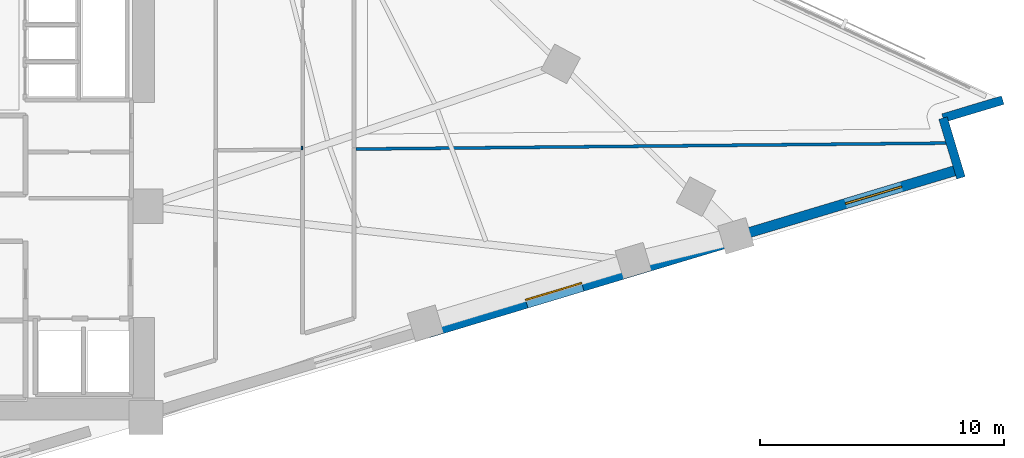
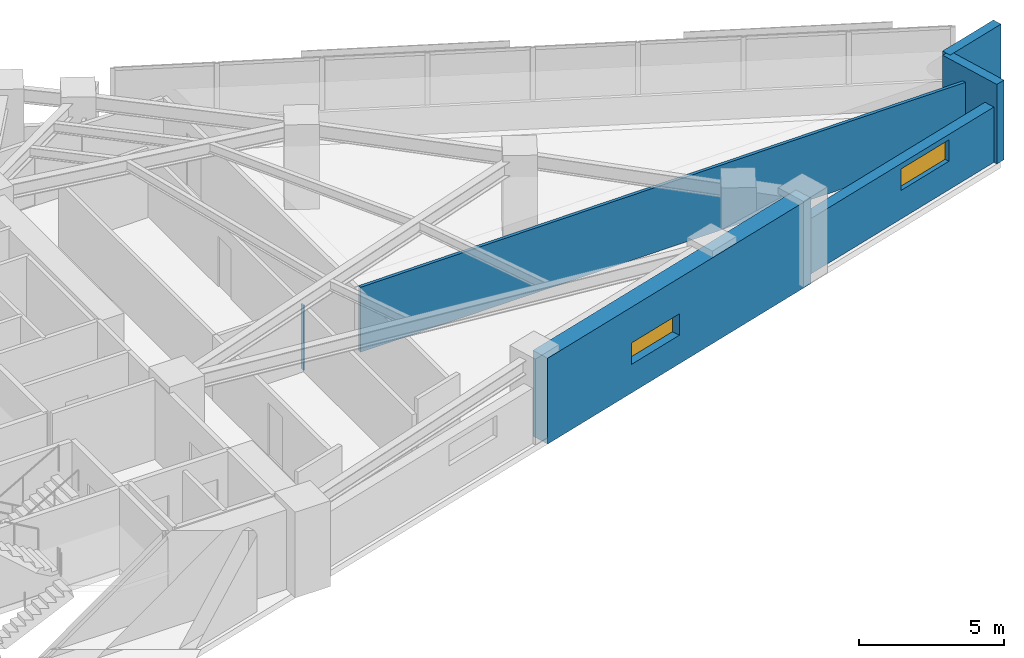
# One storey, part 12 of 15: 6 walls, 2 windows, 2 openings.
"""IFC4 building model written with IfcOpenShell, lengths in metres."""

from ifc_helpers import new_model, si_unit, direction, frame, frame_2d, origin, place, context, subcontext, project, spatial, rectangle, extrude, material, layer, layer_set, type_object, element, fill, save


model = new_model("IFC4")

# Units and contexts
model_context = context("Model", 3, precision=1e-05, world=origin(), true_north=direction((0.0, 1.0)))
body_context = subcontext(model_context, "Body", "Model", "MODEL_VIEW")
ifc_project = project(units=[si_unit("LENGTHUNIT", "METRE"), si_unit("AREAUNIT", "SQUARE_METRE"), si_unit("VOLUMEUNIT", "CUBIC_METRE"), si_unit("PLANEANGLEUNIT", "RADIAN"), si_unit("MASSUNIT", "GRAM", prefix="KILO")], contexts=[model_context])

# Site, building, storey
site_placement = place(None, origin())
site = spatial("IfcSite", under=ifc_project, at=site_placement, CompositionType="ELEMENT")
building_placement = place(site_placement, origin())
building = spatial("IfcBuilding", under=site, at=building_placement, Name="Narakoshi Arena Tower", CompositionType="ELEMENT")
storey_placement = place(building_placement, frame((0.0, 0.0, 157.5)))
storey = spatial("IfcBuildingStorey", under=building, at=storey_placement, Name="L42", CompositionType="ELEMENT", Elevation=157.5)

# Wall, opening, window
ifc_material_1 = material(Name="Concrete C60/75", Category="concrete")
ifc_layer_1 = layer(ifc_material_1, 0.699951171875)
ifc_layer_set_1 = layer_set([ifc_layer_1], Name="Concrete C60/75")
wall_type_1 = type_object("IfcWallType", Name="WL-LEG-700", PredefinedType="SHEAR", material=ifc_layer_set_1)
wall_1_placement = place(storey_placement, frame((97.062255859375, 38.306640625, -0.260009765625), z_axis=(0.0, 0.0, 1.0), x_axis=(0.957569832102, 0.288201347408, 0.0)))
wall_1 = element("IfcWall", 1, at=wall_1_placement, inside=storey, type_object=wall_type_1, Name="L42 Architectural Concrete Structural Wall LEGA-3", PredefinedType="SHEAR", context=body_context, shape_type="SweptSolid", body=[
    extrude(rectangle(XDim=13.198974609375, YDim=0.699951171875, at=frame_2d((6.599609375, 0.0))), origin(), (0.0, 0.0, 1.0), 3.60009765625),
])
opening_1_placement = place(wall_1_placement, frame((4.201171875, 0.0, 1.199951171875)))
opening_1 = element("IfcOpeningElement", 2, at=opening_1_placement, cuts=wall_1, Name="Opening WN-01", PredefinedType="OPENING", context=body_context, shape_type="SweptSolid", body=[
    extrude(rectangle(XDim=2.39990234375, YDim=0.89990234375, at=frame_2d((1.199951171875, 0.449951171875))), frame((0.0, 0.35986328125, 0.0), z_axis=(0.0, -1.0, 0.0), x_axis=(1.0, 0.0, 0.0)), (0.0, 0.0, 1.0), 0.719970703125),
])
ifc_material_2 = material(Name="Bronze-tinted low-E laminated glass", Category="glass")
window_type = type_object("IfcWindowType", Name="WIN-SLT-24x09", PartitioningType="SINGLE_PANEL", PredefinedType="WINDOW", material=ifc_material_2)
window_1_placement = place(opening_1_placement, origin())
window_1 = element("IfcWindow", 3, at=window_1_placement, inside=storey, type_object=window_type, Name="L42 LEGA3 Horizontal Slot Window 1", OverallHeight=0.89990234375, OverallWidth=2.39990234375, PartitioningType="SINGLE_PANEL", PredefinedType="WINDOW", context=body_context, shape_type="SweptSolid", body=[
    extrude(rectangle(XDim=2.39990234375, YDim=0.89990234375, at=frame_2d((1.199951171875, 0.449951171875))), frame((0.0, 0.030029296875, 0.0), z_axis=(0.0, -1.0, 0.0), x_axis=(1.0, 0.0, 0.0)), (0.0, 0.0, 1.0), 0.06005859375),
])
fill(opening_1, window_1)

# Wall
ifc_material_3 = material(Name="Gypsum plasterboard fire-rated partition")
ifc_layer_2 = layer(ifc_material_3, 0.125)
ifc_layer_set_2 = layer_set([ifc_layer_2], Name="Gypsum plasterboard fire-rated partition")
wall_type_2 = type_object("IfcWallType", Name="WL-PART-125", PredefinedType="PARTITIONING", material=ifc_layer_set_2)
wall_2_placement = place(storey_placement, frame((94.15576171875, 45.69189453125, 0.0), z_axis=(0.0, 0.0, 1.0), x_axis=(0.999948829879, 0.010116206033, 0.0)))
element("IfcWall", 4, at=wall_2_placement, inside=storey, type_object=wall_type_2, Name="L42 Inter-Room Partition 04-05", PredefinedType="PARTITIONING", context=body_context, shape_type="SweptSolid", body=[
    extrude(rectangle(XDim=24.32666015625, YDim=0.125, at=frame_2d((12.163330078125, 0.0))), origin(), (0.0, 0.0, 1.0), 2.72509765625),
])

# Wall, opening, window
ifc_material_4 = material(Name="Precast concrete C45/55", Category="concrete")
ifc_layer_3 = layer(ifc_material_4, 0.419921875)
ifc_layer_set_3 = layer_set([ifc_layer_3], Name="Precast concrete C45/55")
wall_type_3 = type_object("IfcWallType", Name="WL-POD-420", PredefinedType="SOLIDWALL", material=ifc_layer_set_3)
wall_3_placement = place(storey_placement, frame((109.701171875, 42.110595703125, 0.0), z_axis=(0.0, 0.0, 1.0), x_axis=(0.957575807765, 0.288181492091, 0.0)))
wall_3 = element("IfcWall", 5, at=wall_3_placement, inside=storey, type_object=wall_type_3, Name="L42 Architectural Concrete Facade Wall LEGA-4", PredefinedType="SOLIDWALL", context=body_context, shape_type="SweptSolid", body=[
    extrude(rectangle(XDim=9.510498046875, YDim=0.419921875, at=frame_2d((4.75537109375, 0.0))), origin(), (0.0, 0.0, 1.0), 2.324951171875),
])
opening_2_placement = place(wall_3_placement, frame((4.679443359375, 0.0, 1.199951171875)))
opening_2 = element("IfcOpeningElement", 6, at=opening_2_placement, cuts=wall_3, Name="Opening WN-01", PredefinedType="OPENING", context=body_context, shape_type="SweptSolid", body=[
    extrude(rectangle(XDim=2.39990234375, YDim=0.89990234375, at=frame_2d((1.199951171875, 0.449951171875))), frame((0.0, 0.219970703125, 0.0), z_axis=(0.0, -1.0, 0.0), x_axis=(1.0, 0.0, 0.0)), (0.0, 0.0, 1.0), 0.43994140625),
])
window_2_placement = place(opening_2_placement, origin())
window_2 = element("IfcWindow", 7, at=window_2_placement, inside=storey, type_object=window_type, Name="L42 LEGA4 Horizontal Slot Window 1", OverallHeight=0.89990234375, OverallWidth=2.39990234375, PartitioningType="SINGLE_PANEL", PredefinedType="WINDOW", context=body_context, shape_type="SweptSolid", body=[
    extrude(rectangle(XDim=2.39990234375, YDim=0.89990234375, at=frame_2d((1.199951171875, 0.449951171875))), frame((0.0, 0.030029296875, 0.0), z_axis=(0.0, -1.0, 0.0), x_axis=(1.0, 0.0, 0.0)), (0.0, 0.0, 1.0), 0.06005859375),
])
fill(opening_2, window_2)

# Walls
for number, where, z_axis, x_axis, name in (
    (8, (118.908935546875, 44.51611328125, 0.0), (0.0, 0.0, 1.0), (-0.288172590882, 0.95757848653, 0.0), "L42 Re-Entrant Corner Notch Wall NTE-1"),
    (9, (118.17333984375, 46.96044921875, 0.0), (0.0, 0.0, 1.0), (0.95757848653, 0.288172590882, 0.0), "L42 Re-Entrant Corner Notch Wall NTE-2"),
):
    element("IfcWall", number, at=place(storey_placement, frame(where, z_axis=z_axis, x_axis=x_axis)), inside=storey, type_object=wall_type_3, Name=name, PredefinedType="SOLIDWALL", context=body_context, shape_type="SweptSolid", body=[
        extrude(rectangle(XDim=2.552734375, YDim=0.360107421875, at=frame_2d((1.2763671875, 0.0))), origin(), (0.0, 0.0, 1.0), 3.340087890625),
    ])
ifc_material_5 = material(Name="Moisture-resistant cement-board partition")
ifc_layer_4 = layer(ifc_material_5, 0.14501953125)
ifc_layer_set_4 = layer_set([ifc_layer_4], Name="Moisture-resistant cement-board partition")
wall_type_4 = type_object("IfcWallType", Name="WL-WET-145", PredefinedType="PARTITIONING", material=ifc_layer_set_4)
wall_4_placement = place(storey_placement, frame((91.961181640625, 45.731689453125, 0.0), z_axis=(0.0, 0.0, 1.0), x_axis=(-0.999966682215, -0.008162993324, 0.0)))
element("IfcWall", 10, at=wall_4_placement, inside=storey, type_object=wall_type_4, Name="L42 Corridor Partition 06-4", PredefinedType="PARTITIONING", context=body_context, shape_type="SweptSolid", body=[
    extrude(rectangle(XDim=0.059814453125, YDim=0.14501953125, at=frame_2d((0.02978515625, 0.0))), origin(), (0.0, 0.0, 1.0), 2.72509765625),
])

save(model, "model.ifc")
